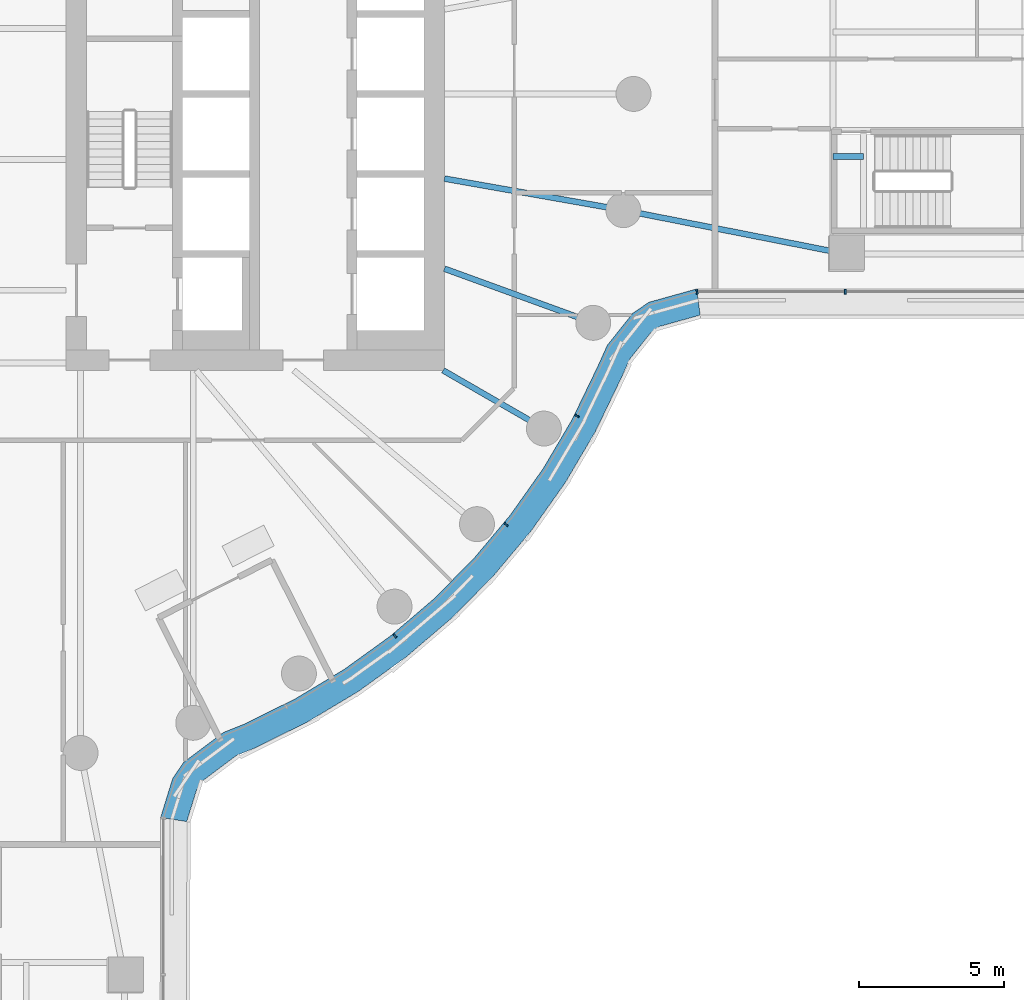
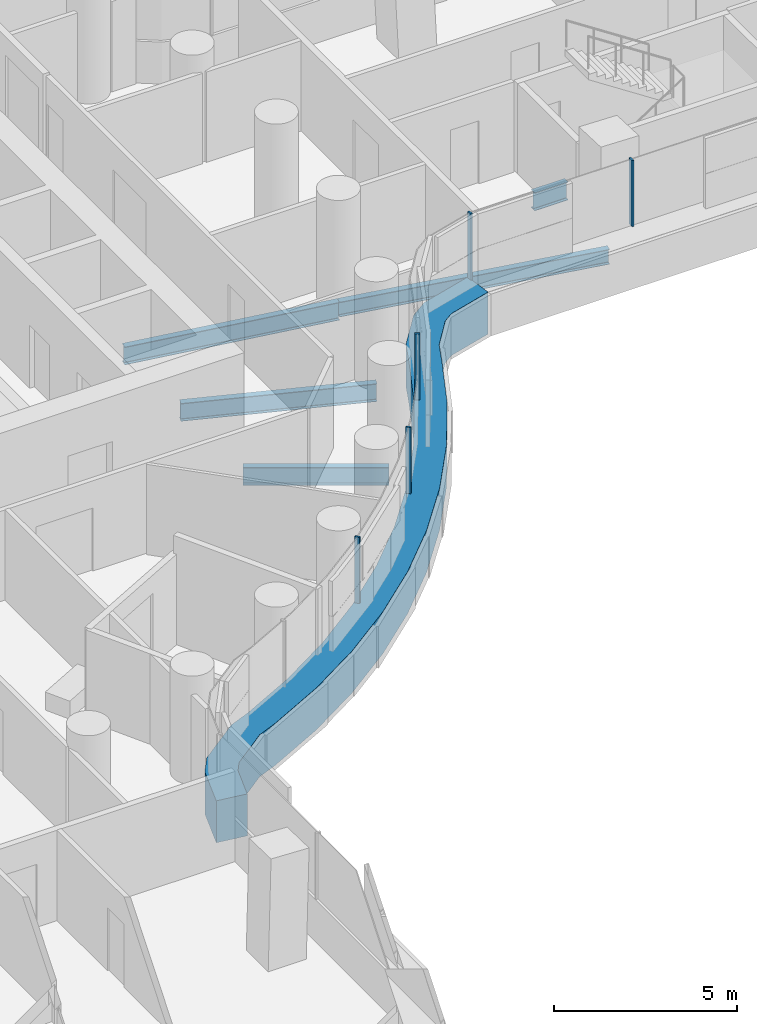
# One storey, part 9 of 32: 6 members, 5 beams, 2 elements without a shape of their own.
"""IFC4 building model written with IfcOpenShell, lengths in metres."""

from ifc_helpers import new_model, si_unit, direction, frame, origin, origin_2d, place, context, subcontext, project, spatial, polyline, rectangle, i_section, outline, extrude, material, layer, layer_set, material_profile, profile_set, type_object, element, aggregate, save


model = new_model("IFC4")

# Units and contexts
model_context = context("Model", 3, precision=1e-05, world=origin(), true_north=direction((0.0, 1.0)))
body_context = subcontext(model_context, "Body", "Model", "MODEL_VIEW")
ifc_project = project(units=[si_unit("LENGTHUNIT", "METRE"), si_unit("AREAUNIT", "SQUARE_METRE"), si_unit("VOLUMEUNIT", "CUBIC_METRE"), si_unit("PLANEANGLEUNIT", "RADIAN"), si_unit("MASSUNIT", "GRAM", prefix="KILO")], contexts=[model_context])

# Site, building, storey
site_placement = place(None, origin())
site = spatial("IfcSite", under=ifc_project, at=site_placement, CompositionType="ELEMENT")
building_placement = place(site_placement, origin())
building = spatial("IfcBuilding", under=site, at=building_placement, Name="Tamarind Cross Interchange Tower", CompositionType="ELEMENT")
storey_placement = place(building_placement, frame((0.0, 0.0, 34.0)))
storey = spatial("IfcBuildingStorey", under=building, at=storey_placement, Name="L06", CompositionType="ELEMENT", Elevation=34.0)

# Beams
ifc_material_1 = material(Name="Steel Q355B", Category="steel")
ifc_material_profile_1 = material_profile(ifc_material_1, i_section(OverallWidth=0.198974609375, OverallDepth=0.49609375, WebThickness=0.009033203125, FlangeThickness=0.013916015625, FilletRadius=0.012939453125, at=origin_2d()), Name="HN 496x199x9x14")
ifc_profile_set_1 = profile_set([ifc_material_profile_1], Name="Steel Q355B")
beam_type_1 = type_object("IfcBeamType", Name="Composite beam HN 496x199x9x14 Q355B", PredefinedType="BEAM", material=ifc_profile_set_1)
beam_1_placement = place(storey_placement, frame((30.300048828125, -5.5, -0.387939453125), z_axis=(-0.981162844726, 0.193182484014, 0.0), x_axis=(-0.193182484014, -0.981162844726, 0.0)))
element("IfcBeam", 1, at=beam_1_placement, inside=storey, type_object=beam_type_1, Name="Beam E-linkem", PredefinedType="BEAM", context=body_context, shape_type="SweptSolid", body=[
    extrude(i_section(OverallWidth=0.198974609375, OverallDepth=0.49609375, WebThickness=0.009033203125, FlangeThickness=0.013916015625, FilletRadius=0.012939453125, at=origin_2d()), origin(), (0.0, 0.0, 1.0), 7.79638671875),
])
ifc_material_profile_2 = material_profile(ifc_material_1, i_section(OverallWidth=0.198974609375, OverallDepth=0.595947265625, WebThickness=0.010009765625, FlangeThickness=0.014892578125, FilletRadius=0.012939453125, at=origin_2d()), Name="HN 596x199x10x15")
ifc_profile_set_2 = profile_set([ifc_material_profile_2], Name="Steel Q355B")
beam_type_2 = type_object("IfcBeamType", Name="Composite beam HN 596x199x10x15 Q355B", PredefinedType="BEAM", material=ifc_profile_set_2)
beam_2_placement = place(storey_placement, frame((19.918701171875, -11.5, -0.43798828125), z_axis=(-0.866026010844, 0.49999894854, 0.0), x_axis=(-0.49999894854, -0.866026010844, 0.0)))
element("IfcBeam", 2, at=beam_2_placement, inside=storey, type_object=beam_type_2, Name="Beam HH33", PredefinedType="BEAM", context=body_context, shape_type="SweptSolid", body=[
    extrude(i_section(OverallWidth=0.198974609375, OverallDepth=0.595947265625, WebThickness=0.010009765625, FlangeThickness=0.014892578125, FilletRadius=0.012939453125, at=origin_2d()), origin(), (0.0, 0.0, 1.0), 4.0),
])
beam_3_placement = place(storey_placement, frame((21.613037109375, -7.866455078125, -0.43798828125), z_axis=(-0.939701685589, 0.341995236956, 0.0), x_axis=(-0.341995236956, -0.939701685589, 0.0)))
element("IfcBeam", 3, at=beam_3_placement, inside=storey, type_object=beam_type_2, Name="Beam HH34", PredefinedType="BEAM", context=body_context, shape_type="SweptSolid", body=[
    extrude(i_section(OverallWidth=0.198974609375, OverallDepth=0.595947265625, WebThickness=0.010009765625, FlangeThickness=0.014892578125, FilletRadius=0.012939453125, at=origin_2d()), origin(), (0.0, 0.0, 1.0), 5.441162109375),
])
beam_4_placement = place(storey_placement, frame((22.650634765625, -3.993896484375, -0.43798828125), z_axis=(-0.984809127561, 0.173640382036, 0.0), x_axis=(-0.173640382036, -0.984809127561, 0.0)))
element("IfcBeam", 4, at=beam_4_placement, inside=storey, type_object=beam_type_2, Name="Beam HH35", PredefinedType="BEAM", context=body_context, shape_type="SweptSolid", body=[
    extrude(i_section(OverallWidth=0.198974609375, OverallDepth=0.595947265625, WebThickness=0.010009765625, FlangeThickness=0.014892578125, FilletRadius=0.012939453125, at=origin_2d()), origin(), (0.0, 0.0, 1.0), 6.24560546875),
])
ifc_material_profile_3 = material_profile(ifc_material_1, i_section(OverallWidth=0.199951171875, OverallDepth=0.60009765625, WebThickness=0.010986328125, FlangeThickness=0.01708984375, FilletRadius=0.012939453125, at=origin_2d()), Name="HN 600x200x11x17")
ifc_profile_set_3 = profile_set([ifc_material_profile_3], Name="Steel Q355B")
beam_type_3 = type_object("IfcBeamType", Name="Composite beam HN 600x200x11x17 Q355B", PredefinedType="BEAM", material=ifc_profile_set_3)
beam_5_placement = place(storey_placement, frame((29.85009765625, -2.14990234375, -0.43994140625), z_axis=(1.0, 0.0, 0.0), x_axis=(0.0, 1.0, 0.0)))
element("IfcBeam", 5, at=beam_5_placement, inside=storey, type_object=beam_type_3, Name="Beam E-isl1", PredefinedType="BEAM", context=body_context, shape_type="SweptSolid", body=[
    extrude(i_section(OverallWidth=0.199951171875, OverallDepth=0.60009765625, WebThickness=0.010986328125, FlangeThickness=0.01708984375, FilletRadius=0.012939453125, at=origin_2d()), origin(), (0.0, 0.0, 1.0), 1.0498046875),
])

# Curtain wall, member
ifc_material_2 = material(Name="Aluminium 6063-T6", Category="aluminium")
ifc_layer_1 = layer(ifc_material_2, 0.14990234375)
ifc_layer_set_1 = layer_set([ifc_layer_1], Name="Aluminium 6063-T6")
curtain_wall_type_1 = type_object("IfcCurtainWallType", Name="Winter garden and crown curtain wall", PredefinedType="NOTDEFINED", material=ifc_layer_set_1)
curtain_wall_1_placement = place(storey_placement, origin())
curtain_wall_1 = element("IfcCurtainWall", 6, at=curtain_wall_1_placement, inside=storey, type_object=curtain_wall_type_1, Name="CWS-L06-07", PredefinedType="NOTDEFINED")
ifc_material_3 = material(Name="Aluminium and insulated spandrel panel", Category="aluminium")
member_type_1 = type_object("IfcMemberType", Name="Floor-edge blade transom", PredefinedType="USERDEFINED", material=ifc_material_3)
member_1_placement = place(storey_placement, origin())
member_1 = element("IfcMember", 7, at=member_1_placement, type_object=member_type_1, Name="CWT-L06-07", ObjectType="TRANSOM", PredefinedType="USERDEFINED", context=body_context, shape_type="SweptSolid", body=[
    extrude(outline(polyline([(6.744384765625, -24.86962890625), (7.16064453125, -23.52294921875), (7.53955078125, -22.96826171875), (8.900634765625, -21.94580078125), (9.61083984375, -21.6591796875), (11.367431640625, -20.791015625), (13.045654296875, -19.78125), (14.634521484375, -18.636474609375), (16.12353515625, -17.3642578125), (17.50244140625, -15.973388671875), (18.76171875, -14.4736328125), (19.892822265625, -12.874755859375), (20.88818359375, -11.188232421875), (21.744384765625, -9.417236328125), (22.099365234375, -8.63427734375), (22.9716796875, -7.537109375), (23.5263671875, -7.158203125), (25.167724609375, -6.699951171875), (25.291015625, -7.60009765625), (23.911376953125, -7.985107421875), (23.591552734375, -8.20361328125), (22.873046875, -9.107421875), (22.5595703125, -9.798828125), (21.68212890625, -11.613525390625), (20.64892578125, -13.3642578125), (19.474853515625, -15.023681640625), (18.167724609375, -16.580810546875), (16.736572265625, -18.0244140625), (15.19091796875, -19.344970703125), (13.54150390625, -20.533203125), (11.799560546875, -21.581298828125), (9.97900390625, -22.481201171875), (9.346923828125, -22.736328125), (8.19873046875, -23.5986328125), (7.980224609375, -23.91845703125), (7.64404296875, -25.00634765625), (6.744384765625, -24.86962890625)])), origin(), (0.0, 0.0, 1.0), 1.39990234375),
])

# Curtain wall, members
ifc_layer_2 = layer(ifc_material_2, 0.159912109375)
ifc_layer_set_2 = layer_set([ifc_layer_2], Name="Aluminium 6063-T6")
curtain_wall_type_2 = type_object("IfcCurtainWallType", Name="Office curtain wall, 9.0 m bays", PredefinedType="NOTDEFINED", material=ifc_layer_set_2)
curtain_wall_2_placement = place(storey_placement, origin())
curtain_wall_2 = element("IfcCurtainWall", 8, at=curtain_wall_2_placement, inside=storey, type_object=curtain_wall_type_2, Name="CWS-L06-08", PredefinedType="NOTDEFINED")
ifc_material_profile_4 = material_profile(ifc_material_2, rectangle(XDim=0.06005859375, YDim=0.159912109375, at=origin_2d()), Name="Mullion CW1")
ifc_profile_set_4 = profile_set([ifc_material_profile_4], Name="Aluminium 6063-T6")
member_type_2 = type_object("IfcMemberType", Name="Mullion CW1", PredefinedType="MULLION", material=ifc_profile_set_4)
member_2_placement = place(storey_placement, frame((25.181396484375, -6.800048828125, 1.39990234375), z_axis=(0.0, 0.0, 1.0), x_axis=(0.990751463771, 0.135689119078, 0.0)))
member_2 = element("IfcMember", 9, at=member_2_placement, type_object=member_type_2, Name="CWM-L06-08-00", PredefinedType="MULLION", context=body_context, shape_type="SweptSolid", body=[
    extrude(rectangle(XDim=0.06005859375, YDim=0.159912109375, at=origin_2d()), origin(), (0.0, 0.0, 1.0), 2.210205078125),
])
member_3_placement = place(storey_placement, frame((30.27294921875, -6.800048828125, 1.39990234375), z_axis=(0.0, 0.0, 1.0), x_axis=(1.0, 0.0, 0.0)))
member_3 = element("IfcMember", 10, at=member_3_placement, type_object=member_type_2, Name="CWM-L06-08-01", PredefinedType="MULLION", context=body_context, shape_type="SweptSolid", body=[
    extrude(rectangle(XDim=0.06005859375, YDim=0.159912109375, at=origin_2d()), origin(), (0.0, 0.0, 1.0), 2.210205078125),
])
aggregate(curtain_wall_2, [member_2, member_3])

# Member
ifc_material_profile_5 = material_profile(ifc_material_2, rectangle(XDim=0.06005859375, YDim=0.14990234375, at=origin_2d()), Name="Mullion CW6")
ifc_profile_set_5 = profile_set([ifc_material_profile_5], Name="Aluminium 6063-T6")
member_type_3 = type_object("IfcMemberType", Name="Mullion CW6", PredefinedType="MULLION", material=ifc_profile_set_5)
member_4_placement = place(storey_placement, frame((14.8017578125, -18.625244140625, 1.39990234375), z_axis=(0.0, 0.0, 1.0), x_axis=(0.760295606781, 0.64957723968, 0.0)))
member_4 = element("IfcMember", 11, at=member_4_placement, type_object=member_type_3, Name="CWM-L06-07-02", PredefinedType="MULLION", context=body_context, shape_type="SweptSolid", body=[
    extrude(rectangle(XDim=0.06005859375, YDim=0.14990234375, at=origin_2d()), origin(), (0.0, 0.0, 1.0), 2.210205078125),
])

member_5_placement = place(storey_placement, frame((18.6201171875, -14.797607421875, 1.39990234375), z_axis=(0.0, 0.0, 1.0), x_axis=(0.643009266048, 0.765858396687, 0.0)))
member_5 = element("IfcMember", 12, at=member_5_placement, type_object=member_type_3, Name="CWM-L06-07-03", PredefinedType="MULLION", context=body_context, shape_type="SweptSolid", body=[
    extrude(rectangle(XDim=0.06005859375, YDim=0.14990234375, at=origin_2d()), origin(), (0.0, 0.0, 1.0), 2.210205078125),
])

member_6_placement = place(storey_placement, frame((21.059326171875, -11.06396484375, 1.39990234375), z_axis=(0.0, 0.0, 1.0), x_axis=(0.435326231914, 0.900272776334, 0.0)))
member_6 = element("IfcMember", 13, at=member_6_placement, type_object=member_type_3, Name="CWM-L06-07-04", PredefinedType="MULLION", context=body_context, shape_type="SweptSolid", body=[
    extrude(rectangle(XDim=0.06005859375, YDim=0.14990234375, at=origin_2d()), origin(), (0.0, 0.0, 1.0), 2.210205078125),
])

aggregate(curtain_wall_1, [member_4, member_5, member_6, member_1])

save(model, "model.ifc")
